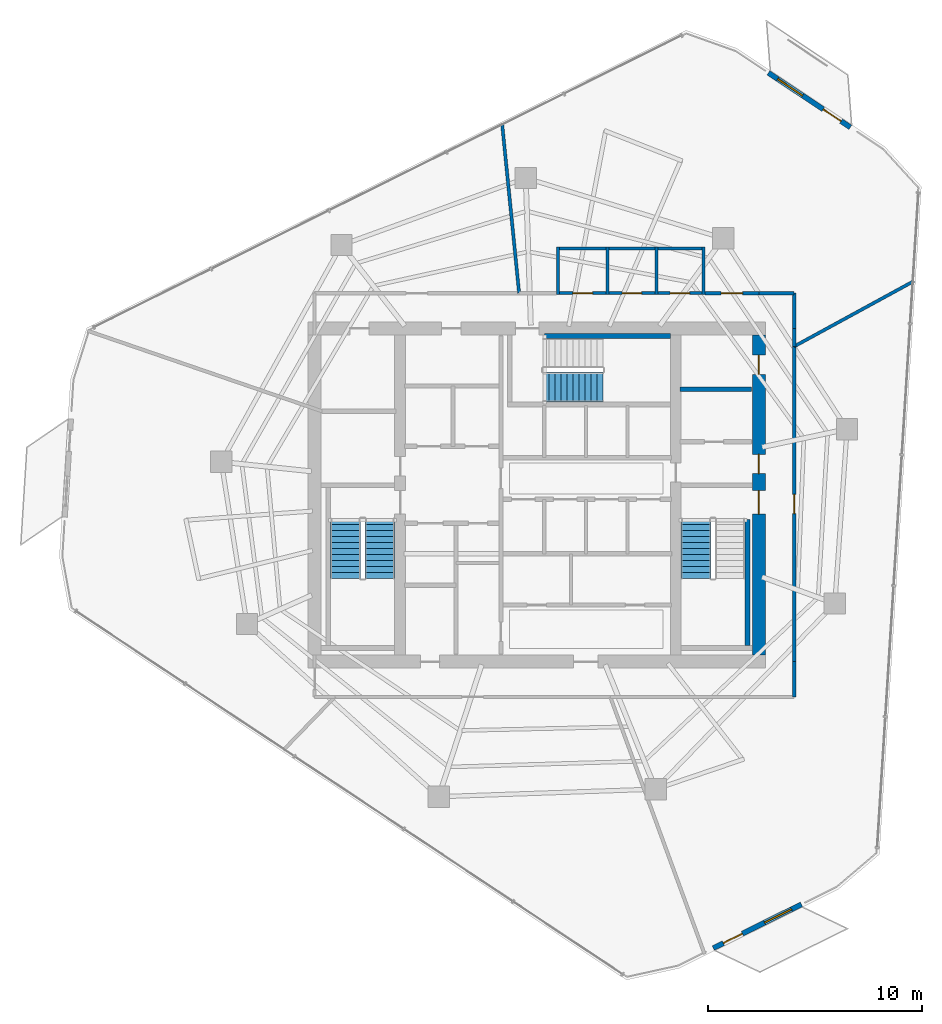
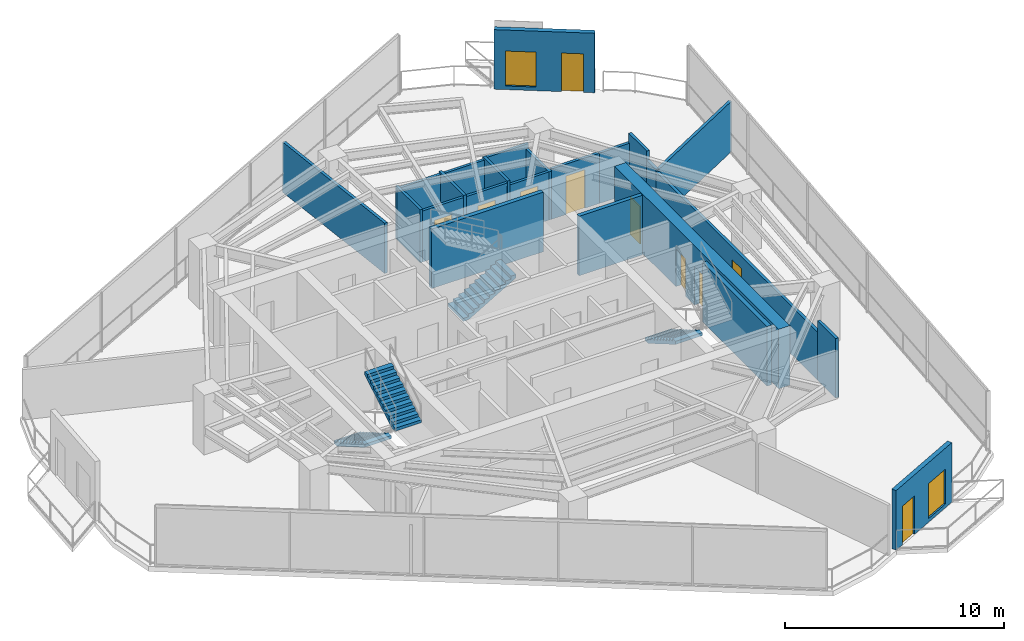
# One storey, part 18 of 21: 24 walls, 10 doors, 4 stair flights, 2 windows, 12 openings, 3 elements without a shape of their own.
"""IFC4 building model written with IfcOpenShell, lengths in metres."""

from ifc_helpers import new_model, si_unit, direction, frame, frame_2d, origin, place, context, subcontext, project, spatial, polyline, rectangle, outline, extrude, material, layer, layer_set, type_object, element, fill, aggregate, save


model = new_model("IFC4")

# Units and contexts
model_context = context("Model", 3, precision=1e-05, world=origin(), true_north=direction((0.0, 1.0)))
body_context = subcontext(model_context, "Body", "Model", "MODEL_VIEW")
ifc_project = project(units=[si_unit("LENGTHUNIT", "METRE"), si_unit("AREAUNIT", "SQUARE_METRE"), si_unit("VOLUMEUNIT", "CUBIC_METRE"), si_unit("PLANEANGLEUNIT", "RADIAN"), si_unit("MASSUNIT", "GRAM", prefix="KILO")], contexts=[model_context])

# Site, building, storey
site_placement = place(None, origin())
site = spatial("IfcSite", under=ifc_project, at=site_placement, CompositionType="ELEMENT")
building_placement = place(site_placement, origin())
building = spatial("IfcBuilding", under=site, at=building_placement, Name="Qarnah Convention Tower", CompositionType="ELEMENT")
storey_placement = place(building_placement, frame((0.0, 0.0, 165.300048828125)))
storey = spatial("IfcBuildingStorey", under=building, at=storey_placement, Name="L44", CompositionType="ELEMENT", Elevation=165.300048828125)

# Wall, openings, doors
ifc_material_1 = material(Name="Concrete C60/75", Category="concrete")
ifc_layer_1 = layer(ifc_material_1, 0.60009765625)
ifc_layer_set_1 = layer_set([ifc_layer_1], Name="Concrete C60/75")
wall_type_1 = type_object("IfcWallType", Name="WL-CORE-600", PredefinedType="SHEAR", material=ifc_layer_set_1)
wall_1_placement = place(storey_placement, frame((47.60009765625, 18.89990234375, 0.0), z_axis=(0.0, 0.0, 1.0), x_axis=(0.0, 1.0, 0.0)))
wall_1 = element("IfcWall", 1, at=wall_1_placement, inside=storey, type_object=wall_type_1, Name="L44 core east shear wall", PredefinedType="SHEAR", context=body_context, shape_type="SweptSolid", body=[
    extrude(rectangle(XDim=15.0, YDim=0.60009765625, at=frame_2d((7.5, 0.0))), origin(), (0.0, 0.0, 1.0), 3.320068359375),
])
opening_1_placement = place(wall_1_placement, frame((6.60009765625, 0.0, 0.0)))
opening_1 = element("IfcOpeningElement", 2, at=opening_1_placement, cuts=wall_1, Name="Opening D-4402", PredefinedType="OPENING", context=body_context, shape_type="SweptSolid", body=[
    extrude(rectangle(XDim=1.10009765625, YDim=2.14990234375, at=frame_2d((0.550048828125, 1.074951171875))), frame((0.0, 0.31005859375, 0.0), z_axis=(0.0, -1.0, 0.0), x_axis=(1.0, 0.0, 0.0)), (0.0, 0.0, 1.0), 0.6201171875),
])
opening_2_placement = place(wall_1_placement, frame((8.5, 0.0, 0.0)))
opening_2 = element("IfcOpeningElement", 3, at=opening_2_placement, cuts=wall_1, Name="Opening D-4406", PredefinedType="OPENING", context=body_context, shape_type="SweptSolid", body=[
    extrude(rectangle(XDim=0.89990234375, YDim=2.10009765625, at=frame_2d((0.449951171875, 1.050048828125))), frame((0.0, 0.31005859375, 0.0), z_axis=(0.0, -1.0, 0.0), x_axis=(1.0, 0.0, 0.0)), (0.0, 0.0, 1.0), 0.6201171875),
])
opening_3_placement = place(wall_1_placement, frame((13.14990234375, 0.0, 0.0)))
opening_3 = element("IfcOpeningElement", 4, at=opening_3_placement, cuts=wall_1, Name="Opening D-4412", PredefinedType="OPENING", context=body_context, shape_type="SweptSolid", body=[
    extrude(rectangle(XDim=0.89990234375, YDim=2.10009765625, at=frame_2d((0.449951171875, 1.050048828125))), frame((0.0, 0.31005859375, 0.0), z_axis=(0.0, -1.0, 0.0), x_axis=(1.0, 0.0, 0.0)), (0.0, 0.0, 1.0), 0.6201171875),
])
ifc_material_2 = material(Name="Structural steel S355JR", Category="steel")
door_type_1 = type_object("IfcDoorType", Name="DT-RISER-900", OperationType="NOTDEFINED", PredefinedType="DOOR", material=ifc_material_2)
door_1_placement = place(opening_2_placement, origin())
door_1 = element("IfcDoor", 5, at=door_1_placement, inside=storey, type_object=door_type_1, Name="Door D-4406", OperationType="SINGLE_SWING_RIGHT", OverallHeight=2.10009765625, OverallWidth=0.89990234375, PredefinedType="DOOR", context=body_context, shape_type="SweptSolid", body=[
    extrude(rectangle(XDim=0.89990234375, YDim=2.10009765625, at=frame_2d((0.449951171875, 1.050048828125))), frame((0.0, 0.02490234375, 0.0), z_axis=(0.0, -1.0, 0.0), x_axis=(1.0, 0.0, 0.0)), (0.0, 0.0, 1.0), 0.050048828125),
])
fill(opening_2, door_1)
door_2_placement = place(opening_3_placement, origin())
door_2 = element("IfcDoor", 6, at=door_2_placement, inside=storey, type_object=door_type_1, Name="Door D-4412", OperationType="SINGLE_SWING_RIGHT", OverallHeight=2.10009765625, OverallWidth=0.89990234375, PredefinedType="DOOR", context=body_context, shape_type="SweptSolid", body=[
    extrude(rectangle(XDim=0.89990234375, YDim=2.10009765625, at=frame_2d((0.449951171875, 1.050048828125))), frame((0.0, 0.02490234375, 0.0), z_axis=(0.0, -1.0, 0.0), x_axis=(1.0, 0.0, 0.0)), (0.0, 0.0, 1.0), 0.050048828125),
])
fill(opening_3, door_2)
door_type_2 = type_object("IfcDoorType", Name="DT-STAIR-1100", OperationType="NOTDEFINED", PredefinedType="DOOR", material=ifc_material_2)
door_3_placement = place(opening_1_placement, origin())
door_3 = element("IfcDoor", 7, at=door_3_placement, inside=storey, type_object=door_type_2, Name="Door D-4402", OperationType="SINGLE_SWING_RIGHT", OverallHeight=2.14990234375, OverallWidth=1.10009765625, PredefinedType="DOOR", context=body_context, shape_type="SweptSolid", body=[
    extrude(rectangle(XDim=1.10009765625, YDim=2.14990234375, at=frame_2d((0.550048828125, 1.074951171875))), frame((0.0, 0.02490234375, 0.0), z_axis=(0.0, -1.0, 0.0), x_axis=(1.0, 0.0, 0.0)), (0.0, 0.0, 1.0), 0.050048828125),
])
fill(opening_1, door_3)

# Walls
ifc_material_3 = material(Name="Concrete C45/55", Category="concrete")
ifc_layer_2 = layer(ifc_material_3, 0.199951171875)
ifc_layer_set_2 = layer_set([ifc_layer_2], Name="Concrete C45/55")
wall_type_2 = type_object("IfcWallType", Name="WL-CORE-PART-200", PredefinedType="SOLIDWALL", material=ifc_layer_set_2)
wall_2_placement = place(storey_placement, frame((43.89990234375, 31.35009765625, 0.0), z_axis=(0.0, 0.0, 1.0), x_axis=(1.0, 0.0, 0.0)))
element("IfcWall", 8, at=wall_2_placement, inside=storey, type_object=wall_type_2, Name="L44 interior wall IW-L44-WTRN", PredefinedType="SOLIDWALL", context=body_context, shape_type="SweptSolid", body=[
    extrude(rectangle(XDim=3.35009765625, YDim=0.199951171875, at=frame_2d((1.675048828125, 0.0))), origin(), (0.0, 0.0, 1.0), 3.320068359375),
])
ifc_layer_3 = layer(ifc_material_1, 0.219970703125)
ifc_layer_set_3 = layer_set([ifc_layer_3], Name="Concrete C60/75")
wall_type_3 = type_object("IfcWallType", Name="WL-CORE-STAIR-220", PredefinedType="SHEAR", material=ifc_layer_set_3)
for number, where, z_axis, x_axis, name in (
    (9, (47.06005859375, 19.35009765625, 0.0), (0.0, 0.0, 1.0), (0.0, 1.0, 0.0), "L44 stair shaft shear wall SW-L44-ST2E"),
    (10, (37.550048828125, 33.840087890625, 0.0), (0.0, 0.0, 1.0), (1.0, 0.0, 0.0), "L44 stair shaft shear wall SW-L44-ST3N"),
):
    element("IfcWall", number, at=place(storey_placement, frame(where, z_axis=z_axis, x_axis=x_axis)), inside=storey, type_object=wall_type_3, Name=name, PredefinedType="SHEAR", context=body_context, shape_type="SweptSolid", body=[
        extrude(rectangle(XDim=5.89990234375, YDim=0.219970703125, at=frame_2d((2.949951171875, 0.0))), origin(), (0.0, 0.0, 1.0), 3.320068359375),
    ])

# Wall, openings, door, window
ifc_material_4 = material(Name="Precast concrete C45/55", Category="concrete")
ifc_layer_4 = layer(ifc_material_4, 0.239990234375)
ifc_layer_set_4 = layer_set([ifc_layer_4], Name="Precast concrete C45/55")
wall_type_4 = type_object("IfcWallType", Name="WL-EXT-BAL-240", PredefinedType="SOLIDWALL", material=ifc_layer_set_4)
wall_3_placement = place(storey_placement, frame((48.0439453125, 46.1640625, 0.0), z_axis=(0.0, 0.0, 1.0), x_axis=(0.832906502892, -0.553413730802, 0.0)))
wall_3 = element("IfcWall", 11, at=wall_3_placement, inside=storey, type_object=wall_type_4, Name="L44 loggia threshold wall BAL-L44-C1", PredefinedType="SOLIDWALL", context=body_context, shape_type="SweptSolid", body=[
    extrude(rectangle(XDim=4.600830078125, YDim=0.239990234375, at=frame_2d((2.30029296875, 0.0))), origin(), (0.0, 0.0, 1.0), 3.320068359375),
])
opening_4_placement = place(wall_3_placement, frame((3.0810546875, 0.0, 0.0)))
opening_4 = element("IfcOpeningElement", 12, at=opening_4_placement, cuts=wall_3, Name="Opening BD-4401", PredefinedType="OPENING", context=body_context, shape_type="SweptSolid", body=[
    extrude(rectangle(XDim=1.0, YDim=2.14990234375, at=frame_2d((0.5, 1.074951171875))), frame((0.0, 0.1298828125, 0.0), z_axis=(0.0, -1.0, 0.0), x_axis=(1.0, 0.0, 0.0)), (0.0, 0.0, 1.0), 0.260009765625),
])
opening_5_placement = place(wall_3_placement, frame((0.52001953125, 0.0, 0.199951171875)))
opening_5 = element("IfcOpeningElement", 13, at=opening_5_placement, cuts=wall_3, Name="Opening WN4", PredefinedType="OPENING", context=body_context, shape_type="SweptSolid", body=[
    extrude(rectangle(XDim=1.39990234375, YDim=1.949951171875, at=frame_2d((0.699951171875, 0.97509765625))), frame((0.0, 0.1298828125, 0.0), z_axis=(0.0, -1.0, 0.0), x_axis=(1.0, 0.0, 0.0)), (0.0, 0.0, 1.0), 0.260009765625),
])
ifc_material_5 = material(Name="Black anodised aluminium", Category="aluminium")
door_type_3 = type_object("IfcDoorType", Name="DT-BAL-1000", OperationType="NOTDEFINED", PredefinedType="DOOR", material=ifc_material_5)
door_4_placement = place(opening_4_placement, origin())
door_4 = element("IfcDoor", 14, at=door_4_placement, inside=storey, type_object=door_type_3, Name="L44 balcony terrace door BAL-L44-C1", OperationType="SINGLE_SWING_LEFT", OverallHeight=2.14990234375, OverallWidth=1.0, PredefinedType="DOOR", context=body_context, shape_type="SweptSolid", body=[
    extrude(rectangle(XDim=1.0, YDim=2.14990234375, at=frame_2d((0.5, 1.074951171875))), frame((0.0, 0.02490234375, 0.0), z_axis=(0.0, -1.0, 0.0), x_axis=(1.0, 0.0, 0.0)), (0.0, 0.0, 1.0), 0.050048828125),
])
fill(opening_4, door_4)
ifc_material_6 = material(Name="Tempered Low-E dark glass", Category="glass")
window_type = type_object("IfcWindowType", Name="WT-BAL-1400X2000", PartitioningType="SINGLE_PANEL", PredefinedType="WINDOW", material=ifc_material_6)
window_1_placement = place(opening_5_placement, origin())
window_1 = element("IfcWindow", 15, at=window_1_placement, inside=storey, type_object=window_type, Name="Window BW-BAL-L44-C1", OverallHeight=1.949951171875, OverallWidth=1.39990234375, PartitioningType="SINGLE_PANEL", PredefinedType="WINDOW", context=body_context, shape_type="SweptSolid", body=[
    extrude(rectangle(XDim=1.39990234375, YDim=1.949951171875, at=frame_2d((0.699951171875, 0.97509765625))), frame((0.0, 0.030029296875, 0.0), z_axis=(0.0, -1.0, 0.0), x_axis=(1.0, 0.0, 0.0)), (0.0, 0.0, 1.0), 0.06005859375),
])
fill(opening_5, window_1)

wall_4_placement = place(storey_placement, frame((49.5869140625, 7.237060546875, 0.0), z_axis=(0.0, 0.0, 1.0), x_axis=(-0.895665438489, -0.444728481544, 0.0)))
wall_4 = element("IfcWall", 16, at=wall_4_placement, inside=storey, type_object=wall_type_4, Name="L44 loggia threshold wall BAL-L44-C3", PredefinedType="SOLIDWALL", context=body_context, shape_type="SweptSolid", body=[
    extrude(rectangle(XDim=4.600830078125, YDim=0.239990234375, at=frame_2d((2.30029296875, 0.0))), origin(), (0.0, 0.0, 1.0), 3.320068359375),
])
opening_6_placement = place(wall_4_placement, frame((3.0810546875, 0.0, 0.0)))
opening_6 = element("IfcOpeningElement", 17, at=opening_6_placement, cuts=wall_4, Name="Opening BD-4403", PredefinedType="OPENING", context=body_context, shape_type="SweptSolid", body=[
    extrude(rectangle(XDim=1.0, YDim=2.14990234375, at=frame_2d((0.5, 1.074951171875))), frame((0.0, 0.1298828125, 0.0), z_axis=(0.0, -1.0, 0.0), x_axis=(1.0, 0.0, 0.0)), (0.0, 0.0, 1.0), 0.260009765625),
])
opening_7_placement = place(wall_4_placement, frame((0.52001953125, 0.0, 0.199951171875)))
opening_7 = element("IfcOpeningElement", 18, at=opening_7_placement, cuts=wall_4, Name="Opening WN4", PredefinedType="OPENING", context=body_context, shape_type="SweptSolid", body=[
    extrude(rectangle(XDim=1.39990234375, YDim=1.949951171875, at=frame_2d((0.699951171875, 0.97509765625))), frame((0.0, 0.1298828125, 0.0), z_axis=(0.0, -1.0, 0.0), x_axis=(1.0, 0.0, 0.0)), (0.0, 0.0, 1.0), 0.260009765625),
])
door_5_placement = place(opening_6_placement, origin())
door_5 = element("IfcDoor", 19, at=door_5_placement, inside=storey, type_object=door_type_3, Name="L44 balcony terrace door BAL-L44-C3", OperationType="SINGLE_SWING_LEFT", OverallHeight=2.14990234375, OverallWidth=1.0, PredefinedType="DOOR", context=body_context, shape_type="SweptSolid", body=[
    extrude(rectangle(XDim=1.0, YDim=2.14990234375, at=frame_2d((0.5, 1.074951171875))), frame((0.0, 0.02490234375, 0.0), z_axis=(0.0, -1.0, 0.0), x_axis=(1.0, 0.0, 0.0)), (0.0, 0.0, 1.0), 0.050048828125),
])
fill(opening_6, door_5)
window_2_placement = place(opening_7_placement, origin())
window_2 = element("IfcWindow", 20, at=window_2_placement, inside=storey, type_object=window_type, Name="Window BW-BAL-L44-C3", OverallHeight=1.949951171875, OverallWidth=1.39990234375, PartitioningType="SINGLE_PANEL", PredefinedType="WINDOW", context=body_context, shape_type="SweptSolid", body=[
    extrude(rectangle(XDim=1.39990234375, YDim=1.949951171875, at=frame_2d((0.699951171875, 0.97509765625))), frame((0.0, 0.030029296875, 0.0), z_axis=(0.0, -1.0, 0.0), x_axis=(1.0, 0.0, 0.0)), (0.0, 0.0, 1.0), 0.06005859375),
])
fill(opening_7, window_2)

# Wall
ifc_material_7 = material(Name="Gypsum partition board")
ifc_layer_5 = layer(ifc_material_7, 0.14990234375)
ifc_layer_set_5 = layer_set([ifc_layer_5], Name="Gypsum partition board")
wall_type_5 = type_object("IfcWallType", Name="WL-SUITE-150", PredefinedType="PARTITIONING", material=ifc_layer_set_5)
wall_5_placement = place(storey_placement, frame((35.575927734375, 43.797119140625, 0.0), z_axis=(0.0, 0.0, 1.0), x_axis=(0.099803337892, -0.995007182761, 0.0)))
element("IfcWall", 21, at=wall_5_placement, inside=storey, type_object=wall_type_5, Name="L44 interior wall IW-L44-R-11", PredefinedType="PARTITIONING", context=body_context, shape_type="SweptSolid", body=[
    extrude(rectangle(XDim=7.98681640625, YDim=0.14990234375, at=frame_2d((3.993408203125, 0.0))), origin(), (0.0, 0.0, 1.0), 2.804931640625),
])

# Wall, opening, door
wall_6_placement = place(storey_placement, frame((45.070068359375, 35.85009765625, 0.0), z_axis=(0.0, 0.0, 1.0), x_axis=(1.0, 0.0, 0.0)))
wall_6 = element("IfcWall", 22, at=wall_6_placement, inside=storey, type_object=wall_type_5, Name="L44 interior wall IW-L44-R-13", PredefinedType="PARTITIONING", context=body_context, shape_type="SweptSolid", body=[
    extrude(rectangle(XDim=2.530029296875, YDim=0.14990234375, at=frame_2d((1.26513671875, 0.0))), origin(), (0.0, 0.0, 1.0), 2.804931640625),
])
opening_8_placement = place(wall_6_placement, frame((0.764892578125, 0.0, 0.0)))
opening_8 = element("IfcOpeningElement", 23, at=opening_8_placement, cuts=wall_6, Name="Opening D-4421", PredefinedType="OPENING", context=body_context, shape_type="SweptSolid", body=[
    extrude(rectangle(XDim=1.0, YDim=2.14990234375, at=frame_2d((0.5, 1.074951171875))), frame((0.0, 0.0849609375, 0.0), z_axis=(0.0, -1.0, 0.0), x_axis=(1.0, 0.0, 0.0)), (0.0, 0.0, 1.0), 0.169921875),
])
ifc_material_8 = material(Name="Oak timber veneer", Category="wood")
door_type_4 = type_object("IfcDoorType", Name="DT-OFFICE-1000", OperationType="NOTDEFINED", PredefinedType="DOOR", material=ifc_material_8)
door_6_placement = place(opening_8_placement, origin())
door_6 = element("IfcDoor", 24, at=door_6_placement, inside=storey, type_object=door_type_4, Name="Door D-4421", OperationType="SINGLE_SWING_LEFT", OverallHeight=2.14990234375, OverallWidth=1.0, PredefinedType="DOOR", context=body_context, shape_type="SweptSolid", body=[
    extrude(rectangle(XDim=1.0, YDim=2.14990234375, at=frame_2d((0.5, 1.074951171875))), frame((0.0, 0.02490234375, 0.0), z_axis=(0.0, -1.0, 0.0), x_axis=(1.0, 0.0, 0.0)), (0.0, 0.0, 1.0), 0.050048828125),
])
fill(opening_8, door_6)

# Walls
wall_7_placement = place(storey_placement, frame((47.60009765625, 35.85009765625, 0.0), z_axis=(0.0, 0.0, 1.0), x_axis=(1.0, 0.0, 0.0)))
element("IfcWall", 25, at=wall_7_placement, inside=storey, type_object=wall_type_5, Name="L44 interior wall IW-L44-R-14", PredefinedType="PARTITIONING", context=body_context, shape_type="SweptSolid", body=[
    extrude(rectangle(XDim=1.64990234375, YDim=0.14990234375, at=frame_2d((0.824951171875, 0.0))), origin(), (0.0, 0.0, 1.0), 2.804931640625),
])
wall_8_placement = place(storey_placement, frame((49.25, 35.85009765625, 0.0), z_axis=(0.0, 0.0, 1.0), x_axis=(0.0, -1.0, 0.0)))
element("IfcWall", 26, at=wall_8_placement, inside=storey, type_object=wall_type_5, Name="L44 interior wall IW-L44-R-15", PredefinedType="PARTITIONING", context=body_context, shape_type="SweptSolid", body=[
    extrude(rectangle(XDim=1.650146484375, YDim=0.14990234375, at=frame_2d((0.8251953125, 0.0))), origin(), (0.0, 0.0, 1.0), 3.320068359375),
])
wall_9_placement = place(storey_placement, frame((49.25, 34.199951171875, 0.0), z_axis=(0.0, 0.0, 1.0), x_axis=(0.0, -1.0, 0.0)))
element("IfcWall", 27, at=wall_9_placement, inside=storey, type_object=wall_type_5, Name="L44 interior wall IW-L44-R-16", PredefinedType="PARTITIONING", context=body_context, shape_type="SweptSolid", body=[
    extrude(rectangle(XDim=0.843017578125, YDim=0.14990234375, at=frame_2d((0.42138671875, 0.0))), origin(), (0.0, 0.0, 1.0), 2.804931640625),
])
wall_10_placement = place(storey_placement, frame((49.25, 33.35693359375, 0.0), z_axis=(0.0, 0.0, 1.0), x_axis=(0.877866376632, 0.478905653318, 0.0)))
element("IfcWall", 28, at=wall_10_placement, inside=storey, type_object=wall_type_5, Name="L44 interior wall IW-L44-R-17", PredefinedType="PARTITIONING", context=body_context, shape_type="SweptSolid", body=[
    extrude(rectangle(XDim=6.391845703125, YDim=0.14990234375, at=frame_2d((3.19580078125, 0.0))), origin(), (0.0, 0.0, 1.0), 2.804931640625),
])

# Wall, opening, door
wall_11_placement = place(storey_placement, frame((49.25, 33.35693359375, 0.0), z_axis=(0.0, 0.0, 1.0), x_axis=(0.0, -1.0, 0.0)))
wall_11 = element("IfcWall", 29, at=wall_11_placement, inside=storey, type_object=wall_type_5, Name="L44 interior wall IW-L44-R-26", PredefinedType="PARTITIONING", context=body_context, shape_type="SweptSolid", body=[
    extrude(rectangle(XDim=14.7568359375, YDim=0.14990234375, at=frame_2d((7.37841796875, 0.0))), origin(), (0.0, 0.0, 1.0), 2.68701171875),
])
opening_9_placement = place(wall_11_placement, frame((6.927978515625, 0.0, 0.0)))
opening_9 = element("IfcOpeningElement", 30, at=opening_9_placement, cuts=wall_11, Name="Opening D-4425", PredefinedType="OPENING", context=body_context, shape_type="SweptSolid", body=[
    extrude(rectangle(XDim=0.89990234375, YDim=2.0, at=frame_2d((0.449951171875, 1.0))), frame((0.0, 0.0849609375, 0.0), z_axis=(0.0, -1.0, 0.0), x_axis=(1.0, 0.0, 0.0)), (0.0, 0.0, 1.0), 0.169921875),
])
door_type_5 = type_object("IfcDoorType", Name="DT-PLANT-900", OperationType="NOTDEFINED", PredefinedType="DOOR", material=ifc_material_2)
door_7_placement = place(opening_9_placement, origin())
door_7 = element("IfcDoor", 31, at=door_7_placement, inside=storey, type_object=door_type_5, Name="Door D-4425", OperationType="SINGLE_SWING_LEFT", OverallHeight=2.0, OverallWidth=0.89990234375, PredefinedType="DOOR", context=body_context, shape_type="SweptSolid", body=[
    extrude(rectangle(XDim=0.89990234375, YDim=2.0, at=frame_2d((0.449951171875, 1.0))), frame((0.0, 0.02490234375, 0.0), z_axis=(0.0, -1.0, 0.0), x_axis=(1.0, 0.0, 0.0)), (0.0, 0.0, 1.0), 0.050048828125),
])
fill(opening_9, door_7)

# Wall
wall_12_placement = place(storey_placement, frame((49.25, 18.60009765625, 0.0), z_axis=(0.0, 0.0, 1.0), x_axis=(0.0, -1.0, 0.0)))
element("IfcWall", 32, at=wall_12_placement, inside=storey, type_object=wall_type_5, Name="L44 interior wall IW-L44-R-27", PredefinedType="PARTITIONING", context=body_context, shape_type="SweptSolid", body=[
    extrude(rectangle(XDim=1.650146484375, YDim=0.14990234375, at=frame_2d((0.8251953125, 0.0))), origin(), (0.0, 0.0, 1.0), 3.320068359375),
])

# Wall, opening, door
ifc_layer_6 = layer(ifc_material_7, 0.139892578125)
ifc_layer_set_6 = layer_set([ifc_layer_6], Name="Gypsum partition board")
wall_type_6 = type_object("IfcWallType", Name="WL-WET-140", PredefinedType="PARTITIONING", material=ifc_layer_set_6)
wall_13_placement = place(storey_placement, frame((38.1298828125, 35.85009765625, 0.0), z_axis=(0.0, 0.0, 1.0), x_axis=(1.0, 0.0, 0.0)))
wall_13 = element("IfcWall", 33, at=wall_13_placement, inside=storey, type_object=wall_type_6, Name="L44 interior wall IW-L44-WCM-1", PredefinedType="PARTITIONING", context=body_context, shape_type="SweptSolid", body=[
    extrude(rectangle(XDim=2.440185546875, YDim=0.139892578125, at=frame_2d((1.22021484375, 0.0))), origin(), (0.0, 0.0, 1.0), 2.841064453125),
])
opening_10_placement = place(wall_13_placement, frame((0.760009765625, 0.0, 0.0)))
opening_10 = element("IfcOpeningElement", 34, at=opening_10_placement, cuts=wall_13, Name="Opening D-4418", PredefinedType="OPENING", context=body_context, shape_type="SweptSolid", body=[
    extrude(rectangle(XDim=0.919921875, YDim=2.10009765625, at=frame_2d((0.4599609375, 1.050048828125))), frame((0.0, 0.079833984375, 0.0), z_axis=(0.0, -1.0, 0.0), x_axis=(1.0, 0.0, 0.0)), (0.0, 0.0, 1.0), 0.159912109375),
])
door_type_6 = type_object("IfcDoorType", Name="DT-WC-920", OperationType="NOTDEFINED", PredefinedType="DOOR", material=ifc_material_8)
door_8_placement = place(opening_10_placement, origin())
door_8 = element("IfcDoor", 35, at=door_8_placement, inside=storey, type_object=door_type_6, Name="Door D-4418", OperationType="SINGLE_SWING_RIGHT", OverallHeight=2.10009765625, OverallWidth=0.919921875, PredefinedType="DOOR", context=body_context, shape_type="SweptSolid", body=[
    extrude(rectangle(XDim=0.919921875, YDim=2.10009765625, at=frame_2d((0.4599609375, 1.050048828125))), frame((0.0, 0.02490234375, 0.0), z_axis=(0.0, -1.0, 0.0), x_axis=(1.0, 0.0, 0.0)), (0.0, 0.0, 1.0), 0.050048828125),
])
fill(opening_10, door_8)

# Walls
wall_14_placement = place(storey_placement, frame((40.5, 35.780029296875, 0.0), z_axis=(0.0, 0.0, 1.0), x_axis=(0.0, 1.0, 0.0)))
element("IfcWall", 36, at=wall_14_placement, inside=storey, type_object=wall_type_6, Name="L44 interior wall IW-L44-WCM-2", PredefinedType="PARTITIONING", context=body_context, shape_type="SweptSolid", body=[
    extrude(rectangle(XDim=2.239990234375, YDim=0.139892578125, at=frame_2d((1.1201171875, 0.0))), origin(), (0.0, 0.0, 1.0), 2.948974609375),
])
wall_15_placement = place(storey_placement, frame((40.570068359375, 37.949951171875, 0.0), z_axis=(0.0, 0.0, 1.0), x_axis=(-1.0, 0.0, 0.0)))
element("IfcWall", 37, at=wall_15_placement, inside=storey, type_object=wall_type_6, Name="L44 interior wall IW-L44-WCM-3", PredefinedType="PARTITIONING", context=body_context, shape_type="SweptSolid", body=[
    extrude(rectangle(XDim=2.440185546875, YDim=0.139892578125, at=frame_2d((1.22021484375, 0.0))), origin(), (0.0, 0.0, 1.0), 2.841064453125),
])
wall_16_placement = place(storey_placement, frame((38.199951171875, 38.02001953125, 0.0), z_axis=(0.0, 0.0, 1.0), x_axis=(0.0, -1.0, 0.0)))
element("IfcWall", 38, at=wall_16_placement, inside=storey, type_object=wall_type_6, Name="L44 interior wall IW-L44-WCM-4", PredefinedType="PARTITIONING", context=body_context, shape_type="SweptSolid", body=[
    extrude(rectangle(XDim=2.239990234375, YDim=0.139892578125, at=frame_2d((1.1201171875, 0.0))), origin(), (0.0, 0.0, 1.0), 2.948974609375),
])

# Wall, opening, door
wall_17_placement = place(storey_placement, frame((40.429931640625, 35.85009765625, 0.0), z_axis=(0.0, 0.0, 1.0), x_axis=(1.0, 0.0, 0.0)))
wall_17 = element("IfcWall", 39, at=wall_17_placement, inside=storey, type_object=wall_type_6, Name="L44 interior wall IW-L44-WCF-1", PredefinedType="PARTITIONING", context=body_context, shape_type="SweptSolid", body=[
    extrude(rectangle(XDim=2.440185546875, YDim=0.139892578125, at=frame_2d((1.22021484375, 0.0))), origin(), (0.0, 0.0, 1.0), 2.841064453125),
])
opening_11_placement = place(wall_17_placement, frame((0.760009765625, 0.0, 0.0)))
opening_11 = element("IfcOpeningElement", 40, at=opening_11_placement, cuts=wall_17, Name="Opening D-4419", PredefinedType="OPENING", context=body_context, shape_type="SweptSolid", body=[
    extrude(rectangle(XDim=0.919921875, YDim=2.10009765625, at=frame_2d((0.4599609375, 1.050048828125))), frame((0.0, 0.079833984375, 0.0), z_axis=(0.0, -1.0, 0.0), x_axis=(1.0, 0.0, 0.0)), (0.0, 0.0, 1.0), 0.159912109375),
])
door_9_placement = place(opening_11_placement, origin())
door_9 = element("IfcDoor", 41, at=door_9_placement, inside=storey, type_object=door_type_6, Name="Door D-4419", OperationType="SINGLE_SWING_LEFT", OverallHeight=2.10009765625, OverallWidth=0.919921875, PredefinedType="DOOR", context=body_context, shape_type="SweptSolid", body=[
    extrude(rectangle(XDim=0.919921875, YDim=2.10009765625, at=frame_2d((0.4599609375, 1.050048828125))), frame((0.0, 0.02490234375, 0.0), z_axis=(0.0, -1.0, 0.0), x_axis=(1.0, 0.0, 0.0)), (0.0, 0.0, 1.0), 0.050048828125),
])
fill(opening_11, door_9)

# Walls
wall_18_placement = place(storey_placement, frame((42.800048828125, 35.780029296875, 0.0), z_axis=(0.0, 0.0, 1.0), x_axis=(0.0, 1.0, 0.0)))
element("IfcWall", 42, at=wall_18_placement, inside=storey, type_object=wall_type_6, Name="L44 interior wall IW-L44-WCF-2", PredefinedType="PARTITIONING", context=body_context, shape_type="SweptSolid", body=[
    extrude(rectangle(XDim=2.239990234375, YDim=0.139892578125, at=frame_2d((1.1201171875, 0.0))), origin(), (0.0, 0.0, 1.0), 2.948974609375),
])
wall_19_placement = place(storey_placement, frame((42.8701171875, 37.949951171875, 0.0), z_axis=(0.0, 0.0, 1.0), x_axis=(-1.0, 0.0, 0.0)))
element("IfcWall", 43, at=wall_19_placement, inside=storey, type_object=wall_type_6, Name="L44 interior wall IW-L44-WCF-3", PredefinedType="PARTITIONING", context=body_context, shape_type="SweptSolid", body=[
    extrude(rectangle(XDim=2.440185546875, YDim=0.139892578125, at=frame_2d((1.22021484375, 0.0))), origin(), (0.0, 0.0, 1.0), 2.841064453125),
])

# Wall, opening, door
wall_20_placement = place(storey_placement, frame((42.72998046875, 35.85009765625, 0.0), z_axis=(0.0, 0.0, 1.0), x_axis=(1.0, 0.0, 0.0)))
wall_20 = element("IfcWall", 44, at=wall_20_placement, inside=storey, type_object=wall_type_6, Name="L44 interior wall IW-L44-WCA-1", PredefinedType="PARTITIONING", context=body_context, shape_type="SweptSolid", body=[
    extrude(rectangle(XDim=2.340087890625, YDim=0.139892578125, at=frame_2d((1.169921875, 0.0))), origin(), (0.0, 0.0, 1.0), 2.68701171875),
])
opening_12_placement = place(wall_20_placement, frame((0.7099609375, 0.0, 0.0)))
opening_12 = element("IfcOpeningElement", 45, at=opening_12_placement, cuts=wall_20, Name="Opening D-4420", PredefinedType="OPENING", context=body_context, shape_type="SweptSolid", body=[
    extrude(rectangle(XDim=0.919921875, YDim=2.10009765625, at=frame_2d((0.4599609375, 1.050048828125))), frame((0.0, 0.079833984375, 0.0), z_axis=(0.0, -1.0, 0.0), x_axis=(1.0, 0.0, 0.0)), (0.0, 0.0, 1.0), 0.159912109375),
])
door_10_placement = place(opening_12_placement, origin())
door_10 = element("IfcDoor", 46, at=door_10_placement, inside=storey, type_object=door_type_6, Name="Door D-4420", OperationType="SINGLE_SWING_RIGHT", OverallHeight=2.10009765625, OverallWidth=0.919921875, PredefinedType="DOOR", context=body_context, shape_type="SweptSolid", body=[
    extrude(rectangle(XDim=0.919921875, YDim=2.10009765625, at=frame_2d((0.4599609375, 1.050048828125))), frame((0.0, 0.02490234375, 0.0), z_axis=(0.0, -1.0, 0.0), x_axis=(1.0, 0.0, 0.0)), (0.0, 0.0, 1.0), 0.050048828125),
])
fill(opening_12, door_10)

# Walls
wall_21_placement = place(storey_placement, frame((45.0, 35.780029296875, 0.0), z_axis=(0.0, 0.0, 1.0), x_axis=(0.0, 1.0, 0.0)))
element("IfcWall", 47, at=wall_21_placement, inside=storey, type_object=wall_type_6, Name="L44 interior wall IW-L44-WCA-2", PredefinedType="PARTITIONING", context=body_context, shape_type="SweptSolid", body=[
    extrude(rectangle(XDim=2.239990234375, YDim=0.139892578125, at=frame_2d((1.1201171875, 0.0))), origin(), (0.0, 0.0, 1.0), 2.68701171875),
])
wall_22_placement = place(storey_placement, frame((45.070068359375, 37.949951171875, 0.0), z_axis=(0.0, 0.0, 1.0), x_axis=(-1.0, 0.0, 0.0)))
element("IfcWall", 48, at=wall_22_placement, inside=storey, type_object=wall_type_6, Name="L44 interior wall IW-L44-WCA-3", PredefinedType="PARTITIONING", context=body_context, shape_type="SweptSolid", body=[
    extrude(rectangle(XDim=2.340087890625, YDim=0.139892578125, at=frame_2d((1.169921875, 0.0))), origin(), (0.0, 0.0, 1.0), 2.948974609375),
])

# Stair, stair flights
ifc_material_9 = material(Name="Concrete C50/60", Category="concrete")
stair_type = type_object("IfcStairType", Name="STR-OFF", PredefinedType="HALF_TURN_STAIR", material=ifc_material_9)
stair_1_placement = place(storey_placement, origin())
stair_1 = element("IfcStair", 49, at=stair_1_placement, inside=storey, type_object=stair_type, Name="L44 Core exit stair ST-1", PredefinedType="HALF_TURN_STAIR")
stair_flight_type = type_object("IfcStairFlightType", Name="FLT-OFF", PredefinedType="STRAIGHT", material=ifc_material_9)
stair_flight_1_placement = place(storey_placement, frame((28.25, 25.300048828125, 0.0), z_axis=(0.0, 0.0, 1.0), x_axis=(0.0, -1.0, 0.0)))
stair_flight_1 = element("IfcStairFlight", 50, at=stair_flight_1_placement, type_object=stair_flight_type, Name="ST-1 flight 1", NumberOfRisers=11, NumberOfTreads=10, PredefinedType="STRAIGHT", RiserHeight=0.163636364, TreadLength=0.28, context=body_context, shape_type="SweptSolid", body=[
    extrude(outline(polyline([(0.0, 0.0), (0.0, 0.16357421875), (0.280029296875, 0.16357421875), (0.280029296875, 0.327392578125), (0.56005859375, 0.327392578125), (0.56005859375, 0.490966796875), (0.840087890625, 0.490966796875), (0.840087890625, 0.654541015625), (1.1201171875, 0.654541015625), (1.1201171875, 0.818115234375), (1.39990234375, 0.818115234375), (1.39990234375, 0.98193359375), (1.679931640625, 0.98193359375), (1.679931640625, 1.1455078125), (1.9599609375, 1.1455078125), (1.9599609375, 1.30908203125), (2.239990234375, 1.30908203125), (2.239990234375, 1.47265625), (2.52001953125, 1.47265625), (2.52001953125, 1.636474609375), (2.800048828125, 1.636474609375), (2.800048828125, 1.800048828125), (2.800048828125, 1.462646484375), (0.297119140625, 0.0), (0.0, 0.0)])), frame((0.0, 0.699951171875, 0.0), z_axis=(0.0, -1.0, 0.0), x_axis=(1.0, 0.0, 0.0)), (0.0, 0.0, 1.0), 1.39990234375),
])
stair_flight_2_placement = place(storey_placement, frame((29.85009765625, 22.5, 1.800048828125), z_axis=(0.0, 0.0, 1.0), x_axis=(0.0, 1.0, 0.0)))
stair_flight_2 = element("IfcStairFlight", 51, at=stair_flight_2_placement, type_object=stair_flight_type, Name="ST-1 flight 2", NumberOfRisers=11, NumberOfTreads=10, PredefinedType="STRAIGHT", RiserHeight=0.163636364, TreadLength=0.28, context=body_context, shape_type="SweptSolid", body=[
    extrude(outline(polyline([(0.0, 0.0), (0.0, 0.16357421875), (0.280029296875, 0.16357421875), (0.280029296875, 0.327392578125), (0.56005859375, 0.327392578125), (0.56005859375, 0.490966796875), (0.840087890625, 0.490966796875), (0.840087890625, 0.654541015625), (1.1201171875, 0.654541015625), (1.1201171875, 0.818115234375), (1.39990234375, 0.818115234375), (1.39990234375, 0.98193359375), (1.679931640625, 0.98193359375), (1.679931640625, 1.1455078125), (1.9599609375, 1.1455078125), (1.9599609375, 1.30908203125), (2.239990234375, 1.30908203125), (2.239990234375, 1.47265625), (2.52001953125, 1.47265625), (2.52001953125, 1.636474609375), (2.800048828125, 1.636474609375), (2.800048828125, 1.800048828125), (2.800048828125, 1.462646484375), (0.297119140625, 0.0), (0.0, 0.0)])), frame((0.0, 0.699951171875, 0.0), z_axis=(0.0, -1.0, 0.0), x_axis=(1.0, 0.0, 0.0)), (0.0, 0.0, 1.0), 1.39990234375),
])
aggregate(stair_1, [stair_flight_1, stair_flight_2])

# Stair, stair flight
stair_2_placement = place(storey_placement, origin())
stair_2 = element("IfcStair", 52, at=stair_2_placement, inside=storey, type_object=stair_type, Name="L44 Core exit stair ST-2", PredefinedType="HALF_TURN_STAIR")
stair_flight_3_placement = place(storey_placement, frame((44.64990234375, 25.300048828125, 0.0), z_axis=(0.0, 0.0, 1.0), x_axis=(0.0, -1.0, 0.0)))
stair_flight_3 = element("IfcStairFlight", 53, at=stair_flight_3_placement, type_object=stair_flight_type, Name="ST-2 flight 1", NumberOfRisers=11, NumberOfTreads=10, PredefinedType="STRAIGHT", RiserHeight=0.163636364, TreadLength=0.28, context=body_context, shape_type="SweptSolid", body=[
    extrude(outline(polyline([(0.0, 0.0), (0.0, 0.16357421875), (0.280029296875, 0.16357421875), (0.280029296875, 0.327392578125), (0.56005859375, 0.327392578125), (0.56005859375, 0.490966796875), (0.840087890625, 0.490966796875), (0.840087890625, 0.654541015625), (1.1201171875, 0.654541015625), (1.1201171875, 0.818115234375), (1.39990234375, 0.818115234375), (1.39990234375, 0.98193359375), (1.679931640625, 0.98193359375), (1.679931640625, 1.1455078125), (1.9599609375, 1.1455078125), (1.9599609375, 1.30908203125), (2.239990234375, 1.30908203125), (2.239990234375, 1.47265625), (2.52001953125, 1.47265625), (2.52001953125, 1.636474609375), (2.800048828125, 1.636474609375), (2.800048828125, 1.800048828125), (2.800048828125, 1.462646484375), (0.297119140625, 0.0), (0.0, 0.0)])), frame((0.0, 0.699951171875, 0.0), z_axis=(0.0, -1.0, 0.0), x_axis=(1.0, 0.0, 0.0)), (0.0, 0.0, 1.0), 1.39990234375),
])
aggregate(stair_2, [stair_flight_3])

stair_3_placement = place(storey_placement, origin())
stair_3 = element("IfcStair", 54, at=stair_3_placement, inside=storey, type_object=stair_type, Name="L44 Core exit stair ST-3", PredefinedType="HALF_TURN_STAIR")
stair_flight_4_placement = place(storey_placement, frame((37.5, 31.449951171875, 0.0), z_axis=(0.0, 0.0, 1.0), x_axis=(1.0, 0.0, 0.0)))
stair_flight_4 = element("IfcStairFlight", 55, at=stair_flight_4_placement, type_object=stair_flight_type, Name="ST-3 flight 1", NumberOfRisers=11, NumberOfTreads=10, PredefinedType="STRAIGHT", RiserHeight=0.163636364, TreadLength=0.28, context=body_context, shape_type="SweptSolid", body=[
    extrude(outline(polyline([(0.0, 0.0), (0.0, 0.16357421875), (0.280029296875, 0.16357421875), (0.280029296875, 0.327392578125), (0.56005859375, 0.327392578125), (0.56005859375, 0.490966796875), (0.840087890625, 0.490966796875), (0.840087890625, 0.654541015625), (1.1201171875, 0.654541015625), (1.1201171875, 0.818115234375), (1.39990234375, 0.818115234375), (1.39990234375, 0.98193359375), (1.679931640625, 0.98193359375), (1.679931640625, 1.1455078125), (1.9599609375, 1.1455078125), (1.9599609375, 1.30908203125), (2.239990234375, 1.30908203125), (2.239990234375, 1.47265625), (2.52001953125, 1.47265625), (2.52001953125, 1.636474609375), (2.800048828125, 1.636474609375), (2.800048828125, 1.800048828125), (2.800048828125, 1.462646484375), (0.297119140625, 0.0), (0.0, 0.0)])), frame((0.0, 0.699951171875, 0.0), z_axis=(0.0, -1.0, 0.0), x_axis=(1.0, 0.0, 0.0)), (0.0, 0.0, 1.0), 1.39990234375),
])
aggregate(stair_3, [stair_flight_4])

save(model, "model.ifc")
